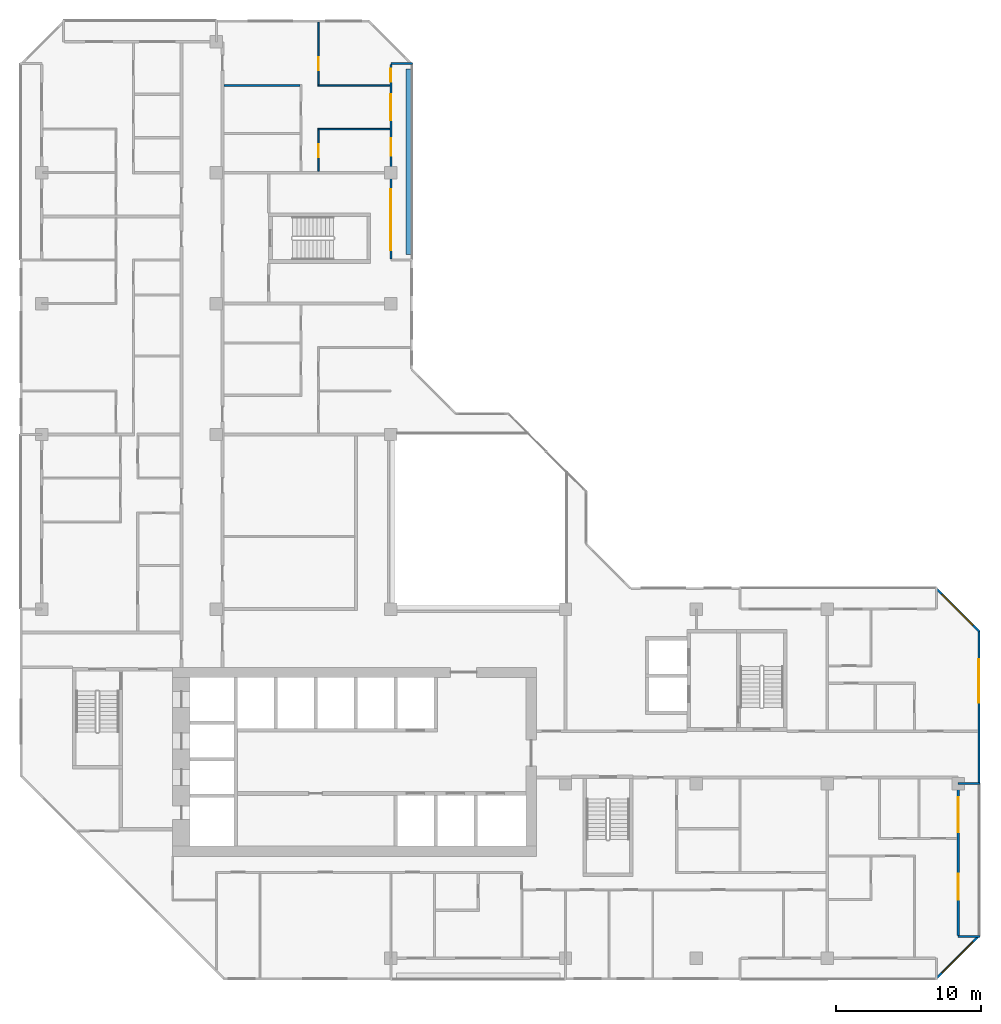
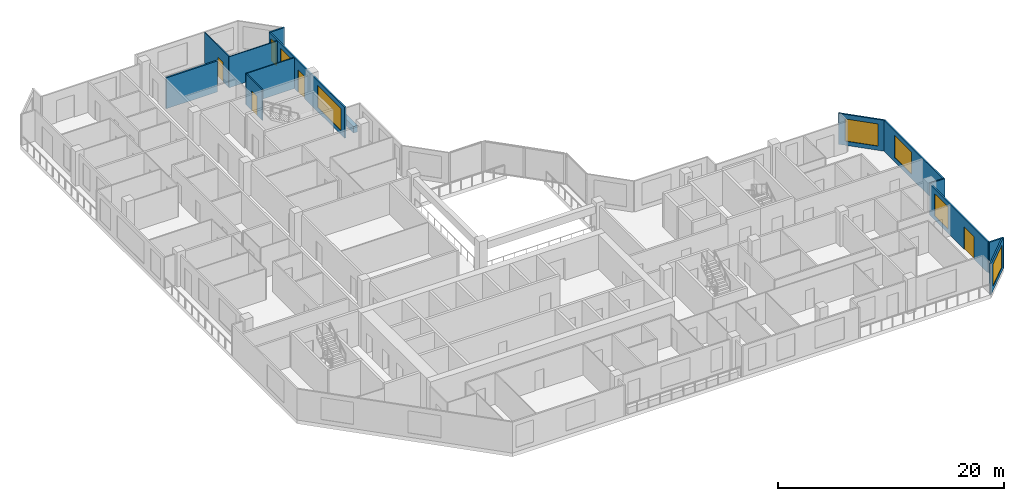
# One storey, part 11 of 14: 14 walls, 7 windows, 4 doors, 11 openings.
"""IFC4 building model written with IfcOpenShell, lengths in metres."""

from ifc_helpers import new_model, si_unit, direction, frame, frame_2d, origin, place, context, subcontext, project, spatial, rectangle, extrude, material, layer, layer_set, type_object, element, fill, save


model = new_model("IFC4")

# Units and contexts
model_context = context("Model", 3, precision=1e-05, world=origin(), true_north=direction((0.0, 1.0)))
body_context = subcontext(model_context, "Body", "Model", "MODEL_VIEW")
ifc_project = project(units=[si_unit("LENGTHUNIT", "METRE"), si_unit("AREAUNIT", "SQUARE_METRE"), si_unit("VOLUMEUNIT", "CUBIC_METRE"), si_unit("PLANEANGLEUNIT", "RADIAN"), si_unit("MASSUNIT", "GRAM", prefix="KILO")], contexts=[model_context])

# Site, building, storey
site_placement = place(None, origin())
site = spatial("IfcSite", under=ifc_project, at=site_placement, CompositionType="ELEMENT")
building_placement = place(site_placement, origin())
building = spatial("IfcBuilding", under=site, at=building_placement, Name="Chenar Terraces", CompositionType="ELEMENT")
storey_placement = place(building_placement, frame((0.0, 0.0, 241.64990234375)))
storey = spatial("IfcBuildingStorey", under=building, at=storey_placement, Name="L57", CompositionType="ELEMENT", Elevation=241.64990234375)

# Wall, opening, window
ifc_material_1 = material(Name="Aluminium framed glazing", Category="aluminium")
ifc_layer_1 = layer(ifc_material_1, 0.14990234375)
ifc_layer_set_1 = layer_set([ifc_layer_1], Name="Aluminium framed glazing")
wall_type_1 = type_object("IfcWallType", Name="Glazed flush facade wall 150", PredefinedType="SOLIDWALL", material=ifc_layer_set_1)
wall_1_placement = place(storey_placement, frame((64.425048828125, 12.074951171875, 0.0), z_axis=(0.0, 0.0, 1.0), x_axis=(0.0, 1.0, 0.0)))
wall_1 = element("IfcWall", 1, at=wall_1_placement, inside=storey, type_object=wall_type_1, Name="Glazed flush facade wall", PredefinedType="SOLIDWALL", context=body_context, shape_type="SweptSolid", body=[
    extrude(rectangle(XDim=10.425048828125, YDim=0.14990234375, at=frame_2d((5.21240234375, 0.0))), origin(), (0.0, 0.0, 1.0), 3.35009765625),
])
opening_1_placement = place(wall_1_placement, frame((5.47509765625, 0.0, 0.449951171875)))
opening_1 = element("IfcOpeningElement", 2, at=opening_1_placement, cuts=wall_1, Name="Opening W300x240", PredefinedType="OPENING", context=body_context, shape_type="SweptSolid", body=[
    extrude(rectangle(XDim=3.0, YDim=2.39990234375, at=frame_2d((1.5, 1.199951171875))), frame((0.0, 0.0849609375, 0.0), z_axis=(0.0, -1.0, 0.0), x_axis=(1.0, 0.0, 0.0)), (0.0, 0.0, 1.0), 0.169921875),
])
ifc_material_2 = material(Name="Low emissivity double glazing, aluminium frame", Category="aluminium")
window_type_1 = type_object("IfcWindowType", Name="Fixed light 3000 x 2400", PartitioningType="SINGLE_PANEL", PredefinedType="WINDOW", material=ifc_material_2)
window_1_placement = place(opening_1_placement, origin())
window_1 = element("IfcWindow", 3, at=window_1_placement, inside=storey, type_object=window_type_1, Name="Window", OverallHeight=2.39990234375, OverallWidth=3.0, PartitioningType="SINGLE_PANEL", PredefinedType="WINDOW", context=body_context, shape_type="SweptSolid", body=[
    extrude(rectangle(XDim=3.0, YDim=2.39990234375, at=frame_2d((1.5, 1.199951171875))), frame((0.0, 0.030029296875, 0.0), z_axis=(0.0, -1.0, 0.0), x_axis=(1.0, 0.0, 0.0)), (0.0, 0.0, 1.0), 0.06005859375),
])
fill(opening_1, window_1)

# Wall, openings, windows, door
ifc_material_3 = material(Name="Aluminium framed glazing", Category="aluminium")
ifc_layer_2 = layer(ifc_material_3, 0.14990234375)
ifc_layer_set_2 = layer_set([ifc_layer_2], Name="Aluminium framed glazing")
wall_type_2 = type_object("IfcWallType", Name="Glazed loggia back wall 150", PredefinedType="SOLIDWALL", material=ifc_layer_set_2)
wall_2_placement = place(storey_placement, frame((24.0, 48.074951171875, 0.0), z_axis=(0.0, 0.0, 1.0), x_axis=(0.0, 1.0, 0.0)))
wall_2 = element("IfcWall", 4, at=wall_2_placement, inside=storey, type_object=wall_type_2, Name="Glazed loggia back wall", PredefinedType="SOLIDWALL", context=body_context, shape_type="SweptSolid", body=[
    extrude(rectangle(XDim=13.35009765625, YDim=0.14990234375, at=frame_2d((6.675048828125, 0.0))), origin(), (0.0, 0.0, 1.0), 3.35009765625),
])
opening_2_placement = place(wall_2_placement, frame((0.60009765625, 0.0, 0.449951171875)))
opening_2 = element("IfcOpeningElement", 5, at=opening_2_placement, cuts=wall_2, Name="Opening W420x240", PredefinedType="OPENING", context=body_context, shape_type="SweptSolid", body=[
    extrude(rectangle(XDim=4.199951171875, YDim=2.39990234375, at=frame_2d((2.10009765625, 1.199951171875))), frame((0.0, 0.0849609375, 0.0), z_axis=(0.0, -1.0, 0.0), x_axis=(1.0, 0.0, 0.0)), (0.0, 0.0, 1.0), 0.169921875),
])
opening_3_placement = place(wall_2_placement, frame((7.08740234375, 0.0, 0.0)))
opening_3 = element("IfcOpeningElement", 6, at=opening_3_placement, cuts=wall_2, Name="Opening DL57-G2", PredefinedType="OPENING", context=body_context, shape_type="SweptSolid", body=[
    extrude(rectangle(XDim=1.199951171875, YDim=2.39990234375, at=frame_2d((0.60009765625, 1.199951171875))), frame((0.0, 0.0849609375, 0.0), z_axis=(0.0, -1.0, 0.0), x_axis=(1.0, 0.0, 0.0)), (0.0, 0.0, 1.0), 0.169921875),
])
opening_4_placement = place(wall_2_placement, frame((9.52490234375, 0.0, 0.449951171875)))
opening_4 = element("IfcOpeningElement", 7, at=opening_4_placement, cuts=wall_2, Name="Opening W180x240", PredefinedType="OPENING", context=body_context, shape_type="SweptSolid", body=[
    extrude(rectangle(XDim=1.800048828125, YDim=2.39990234375, at=frame_2d((0.89990234375, 1.199951171875))), frame((0.0, 0.0849609375, 0.0), z_axis=(0.0, -1.0, 0.0), x_axis=(1.0, 0.0, 0.0)), (0.0, 0.0, 1.0), 0.169921875),
])
opening_5_placement = place(wall_2_placement, frame((12.1875, 0.0, 0.449951171875)))
opening_5 = element("IfcOpeningElement", 8, at=opening_5_placement, cuts=wall_2, Name="Opening W90x240", PredefinedType="OPENING", context=body_context, shape_type="SweptSolid", body=[
    extrude(rectangle(XDim=0.89990234375, YDim=2.39990234375, at=frame_2d((0.449951171875, 1.199951171875))), frame((0.0, 0.0849609375, 0.0), z_axis=(0.0, -1.0, 0.0), x_axis=(1.0, 0.0, 0.0)), (0.0, 0.0, 1.0), 0.169921875),
])
ifc_material_4 = material(Name="Low emissivity double glazing, aluminium frame", Category="aluminium")
window_type_2 = type_object("IfcWindowType", Name="Fixed light 1800 x 2400", PartitioningType="SINGLE_PANEL", PredefinedType="WINDOW", material=ifc_material_4)
window_2_placement = place(opening_4_placement, origin())
window_2 = element("IfcWindow", 9, at=window_2_placement, inside=storey, type_object=window_type_2, Name="Window", OverallHeight=2.39990234375, OverallWidth=1.800048828125, PartitioningType="SINGLE_PANEL", PredefinedType="WINDOW", context=body_context, shape_type="SweptSolid", body=[
    extrude(rectangle(XDim=1.800048828125, YDim=2.39990234375, at=frame_2d((0.89990234375, 1.199951171875))), frame((0.0, 0.030029296875, 0.0), z_axis=(0.0, -1.0, 0.0), x_axis=(1.0, 0.0, 0.0)), (0.0, 0.0, 1.0), 0.06005859375),
])
fill(opening_4, window_2)
ifc_material_5 = material(Name="Low emissivity double glazing, aluminium frame", Category="aluminium")
window_type_3 = type_object("IfcWindowType", Name="Fixed light 4200 x 2400", PartitioningType="SINGLE_PANEL", PredefinedType="WINDOW", material=ifc_material_5)
window_3_placement = place(opening_2_placement, origin())
window_3 = element("IfcWindow", 10, at=window_3_placement, inside=storey, type_object=window_type_3, Name="Window", OverallHeight=2.39990234375, OverallWidth=4.199951171875, PartitioningType="SINGLE_PANEL", PredefinedType="WINDOW", context=body_context, shape_type="SweptSolid", body=[
    extrude(rectangle(XDim=4.199951171875, YDim=2.39990234375, at=frame_2d((2.10009765625, 1.199951171875))), frame((0.0, 0.030029296875, 0.0), z_axis=(0.0, -1.0, 0.0), x_axis=(1.0, 0.0, 0.0)), (0.0, 0.0, 1.0), 0.06005859375),
])
fill(opening_2, window_3)
ifc_material_6 = material(Name="Low emissivity double glazing, aluminium frame", Category="aluminium")
window_type_4 = type_object("IfcWindowType", Name="Fixed light 900 x 2400", PartitioningType="SINGLE_PANEL", PredefinedType="WINDOW", material=ifc_material_6)
window_4_placement = place(opening_5_placement, origin())
window_4 = element("IfcWindow", 11, at=window_4_placement, inside=storey, type_object=window_type_4, Name="Window", OverallHeight=2.39990234375, OverallWidth=0.89990234375, PartitioningType="SINGLE_PANEL", PredefinedType="WINDOW", context=body_context, shape_type="SweptSolid", body=[
    extrude(rectangle(XDim=0.89990234375, YDim=2.39990234375, at=frame_2d((0.449951171875, 1.199951171875))), frame((0.0, 0.030029296875, 0.0), z_axis=(0.0, -1.0, 0.0), x_axis=(1.0, 0.0, 0.0)), (0.0, 0.0, 1.0), 0.06005859375),
])
fill(opening_5, window_4)
ifc_material_7 = material(Name="Low emissivity double glazing, aluminium frame", Category="aluminium")
door_type_1 = type_object("IfcDoorType", Name="Loggia glazed double door 1200 x 2400", OperationType="DOUBLE_DOOR_SINGLE_SWING", PredefinedType="DOOR", material=ifc_material_7)
door_1_placement = place(opening_3_placement, frame((1.199951171875, 0.0, 0.0), z_axis=(0.0, 0.0, 1.0), x_axis=(-1.0, 0.0, 0.0)))
door_1 = element("IfcDoor", 12, at=door_1_placement, inside=storey, type_object=door_type_1, Name="Loggia glazed door", OperationType="DOUBLE_DOOR_SINGLE_SWING", OverallHeight=2.39990234375, OverallWidth=1.199951171875, PredefinedType="DOOR", context=body_context, shape_type="SweptSolid", body=[
    extrude(rectangle(XDim=1.199951171875, YDim=2.39990234375, at=frame_2d((0.60009765625, 1.199951171875))), frame((0.0, 0.02490234375, 0.0), z_axis=(0.0, -1.0, 0.0), x_axis=(1.0, 0.0, 0.0)), (0.0, 0.0, 1.0), 0.050048828125),
])
fill(opening_3, door_1)

# Wall, openings, window, door
wall_3_placement = place(storey_placement, frame((63.0, 1.574951171875, 0.0), z_axis=(0.0, 0.0, 1.0), x_axis=(0.0, 1.0, 0.0)))
wall_3 = element("IfcWall", 13, at=wall_3_placement, inside=storey, type_object=wall_type_2, Name="Glazed loggia back wall", PredefinedType="SOLIDWALL", context=body_context, shape_type="SweptSolid", body=[
    extrude(rectangle(XDim=10.35009765625, YDim=0.14990234375, at=frame_2d((5.175048828125, 0.0))), origin(), (0.0, 0.0, 1.0), 3.35009765625),
])
opening_6_placement = place(wall_3_placement, frame((2.425048828125, 0.0, 0.0)))
opening_6 = element("IfcOpeningElement", 14, at=opening_6_placement, cuts=wall_3, Name="Opening DL57-G8", PredefinedType="OPENING", context=body_context, shape_type="SweptSolid", body=[
    extrude(rectangle(XDim=1.800048828125, YDim=2.39990234375, at=frame_2d((0.89990234375, 1.199951171875))), frame((0.0, 0.0849609375, 0.0), z_axis=(0.0, -1.0, 0.0), x_axis=(1.0, 0.0, 0.0)), (0.0, 0.0, 1.0), 0.169921875),
])
opening_7_placement = place(wall_3_placement, frame((7.074951171875, 0.0, 0.449951171875)))
opening_7 = element("IfcOpeningElement", 15, at=opening_7_placement, cuts=wall_3, Name="Opening W240x240", PredefinedType="OPENING", context=body_context, shape_type="SweptSolid", body=[
    extrude(rectangle(XDim=2.39990234375, YDim=2.39990234375, at=frame_2d((1.199951171875, 1.199951171875))), frame((0.0, 0.0849609375, 0.0), z_axis=(0.0, -1.0, 0.0), x_axis=(1.0, 0.0, 0.0)), (0.0, 0.0, 1.0), 0.169921875),
])
ifc_material_8 = material(Name="Low emissivity double glazing, aluminium frame", Category="aluminium")
window_type_5 = type_object("IfcWindowType", Name="Fixed light 2400 x 2400", PartitioningType="SINGLE_PANEL", PredefinedType="WINDOW", material=ifc_material_8)
window_5_placement = place(opening_7_placement, origin())
window_5 = element("IfcWindow", 16, at=window_5_placement, inside=storey, type_object=window_type_5, Name="Window", OverallHeight=2.39990234375, OverallWidth=2.39990234375, PartitioningType="SINGLE_PANEL", PredefinedType="WINDOW", context=body_context, shape_type="SweptSolid", body=[
    extrude(rectangle(XDim=2.39990234375, YDim=2.39990234375, at=frame_2d((1.199951171875, 1.199951171875))), frame((0.0, 0.030029296875, 0.0), z_axis=(0.0, -1.0, 0.0), x_axis=(1.0, 0.0, 0.0)), (0.0, 0.0, 1.0), 0.06005859375),
])
fill(opening_7, window_5)
ifc_material_9 = material(Name="Low emissivity double glazing, aluminium frame", Category="aluminium")
door_type_2 = type_object("IfcDoorType", Name="Loggia glazed double door 1800 x 2400", OperationType="DOUBLE_DOOR_SINGLE_SWING", PredefinedType="DOOR", material=ifc_material_9)
door_2_placement = place(opening_6_placement, frame((1.800048828125, 0.0, 0.0), z_axis=(0.0, 0.0, 1.0), x_axis=(-1.0, 0.0, 0.0)))
door_2 = element("IfcDoor", 17, at=door_2_placement, inside=storey, type_object=door_type_2, Name="Loggia glazed door", OperationType="DOUBLE_DOOR_SINGLE_SWING", OverallHeight=2.39990234375, OverallWidth=1.800048828125, PredefinedType="DOOR", context=body_context, shape_type="SweptSolid", body=[
    extrude(rectangle(XDim=1.800048828125, YDim=2.39990234375, at=frame_2d((0.89990234375, 1.199951171875))), frame((0.0, 0.02490234375, 0.0), z_axis=(0.0, -1.0, 0.0), x_axis=(1.0, 0.0, 0.0)), (0.0, 0.0, 1.0), 0.050048828125),
])
fill(opening_6, door_2)

# Walls
ifc_material_10 = material(Name="Gypsum board on steel studs", Category="steel")
ifc_layer_3 = layer(ifc_material_10, 0.10009765625)
ifc_layer_set_3 = layer_set([ifc_layer_3], Name="Gypsum board on steel studs")
wall_type_3 = type_object("IfcWallType", Name="Gypsum partition 100", PredefinedType="PARTITIONING", material=ifc_layer_set_3)
for number, where, z_axis, x_axis, name in (
    (18, (18.97509765625, 57.0, 0.0), (0.0, 0.0, 1.0), (1.0, 0.0, 0.0), "Partition L57-051"),
    (19, (18.97509765625, 60.0, 0.0), (0.0, 0.0, 1.0), (1.0, 0.0, 0.0), "Partition L57-052"),
):
    element("IfcWall", number, at=place(storey_placement, frame(where, z_axis=z_axis, x_axis=x_axis)), inside=storey, type_object=wall_type_3, Name=name, PredefinedType="PARTITIONING", context=body_context, shape_type="SweptSolid", body=[
        extrude(rectangle(XDim=4.950927734375, YDim=0.10009765625, at=frame_2d((2.4755859375, 0.0))), origin(), (0.0, 0.0, 1.0), 3.35009765625),
    ])

# Wall, opening, door
wall_4_placement = place(storey_placement, frame((19.02490234375, 54.10009765625, 0.0), z_axis=(0.0, 0.0, 1.0), x_axis=(0.0, 1.0, 0.0)))
wall_4 = element("IfcWall", 20, at=wall_4_placement, inside=storey, type_object=wall_type_3, Name="Partition L57-054", PredefinedType="PARTITIONING", context=body_context, shape_type="SweptSolid", body=[
    extrude(rectangle(XDim=2.849853515625, YDim=0.10009765625, at=frame_2d((1.4248046875, 0.0))), origin(), (0.0, 0.0, 1.0), 3.35009765625),
])
opening_8_placement = place(wall_4_placement, frame((0.949951171875, 0.0, 0.0)))
opening_8 = element("IfcOpeningElement", 21, at=opening_8_placement, cuts=wall_4, Name="Opening DL57-19", PredefinedType="OPENING", context=body_context, shape_type="SweptSolid", body=[
    extrude(rectangle(XDim=0.89990234375, YDim=2.10009765625, at=frame_2d((0.449951171875, 1.050048828125))), frame((0.0, 0.06005859375, 0.0), z_axis=(0.0, -1.0, 0.0), x_axis=(1.0, 0.0, 0.0)), (0.0, 0.0, 1.0), 0.1201171875),
])
ifc_material_11 = material(Name="Veneered timber door leaf", Category="wood")
door_type_3 = type_object("IfcDoorType", Name="Door 900 x 2100", OperationType="SINGLE_SWING_LEFT", PredefinedType="DOOR", material=ifc_material_11)
door_3_placement = place(opening_8_placement, frame((0.89990234375, 0.0, 0.0), z_axis=(0.0, 0.0, 1.0), x_axis=(-1.0, 0.0, 0.0)))
door_3 = element("IfcDoor", 22, at=door_3_placement, inside=storey, type_object=door_type_3, Name="Door DL57-19", OperationType="SINGLE_SWING_LEFT", OverallHeight=2.10009765625, OverallWidth=0.89990234375, PredefinedType="DOOR", context=body_context, shape_type="SweptSolid", body=[
    extrude(rectangle(XDim=0.89990234375, YDim=2.10009765625, at=frame_2d((0.449951171875, 1.050048828125))), frame((0.0, 0.02490234375, 0.0), z_axis=(0.0, -1.0, 0.0), x_axis=(1.0, 0.0, 0.0)), (0.0, 0.0, 1.0), 0.050048828125),
])
fill(opening_8, door_3)

wall_5_placement = place(storey_placement, frame((19.02490234375, 60.050048828125, 0.0), z_axis=(0.0, 0.0, 1.0), x_axis=(0.0, 1.0, 0.0)))
wall_5 = element("IfcWall", 23, at=wall_5_placement, inside=storey, type_object=wall_type_3, Name="Partition L57-055", PredefinedType="PARTITIONING", context=body_context, shape_type="SweptSolid", body=[
    extrude(rectangle(XDim=4.301025390625, YDim=0.10009765625, at=frame_2d((2.150390625, 0.0))), origin(), (0.0, 0.0, 1.0), 3.35009765625),
])
opening_9_placement = place(wall_5_placement, frame((1.0, 0.0, 0.0)))
opening_9 = element("IfcOpeningElement", 24, at=opening_9_placement, cuts=wall_5, Name="Opening DL57-20", PredefinedType="OPENING", context=body_context, shape_type="SweptSolid", body=[
    extrude(rectangle(XDim=0.89990234375, YDim=2.10009765625, at=frame_2d((0.449951171875, 1.050048828125))), frame((0.0, 0.06005859375, 0.0), z_axis=(0.0, -1.0, 0.0), x_axis=(1.0, 0.0, 0.0)), (0.0, 0.0, 1.0), 0.1201171875),
])
door_4_placement = place(opening_9_placement, frame((0.89990234375, 0.0, 0.0), z_axis=(0.0, 0.0, 1.0), x_axis=(-1.0, 0.0, 0.0)))
door_4 = element("IfcDoor", 25, at=door_4_placement, inside=storey, type_object=door_type_3, Name="Door DL57-20", OperationType="SINGLE_SWING_RIGHT", OverallHeight=2.10009765625, OverallWidth=0.89990234375, PredefinedType="DOOR", context=body_context, shape_type="SweptSolid", body=[
    extrude(rectangle(XDim=0.89990234375, YDim=2.10009765625, at=frame_2d((0.449951171875, 1.050048828125))), frame((0.0, 0.02490234375, 0.0), z_axis=(0.0, -1.0, 0.0), x_axis=(1.0, 0.0, 0.0)), (0.0, 0.0, 1.0), 0.050048828125),
])
fill(opening_9, door_4)

# Walls
ifc_material_12 = material(Name="Terracotta cladding on insulated backing", Category="masonry")
ifc_layer_4 = layer(ifc_material_12, 0.14990234375)
ifc_layer_set_4 = layer_set([ifc_layer_4], Name="Terracotta cladding on insulated backing")
wall_type_4 = type_object("IfcWallType", Name="Loggia return wall 150", PredefinedType="SOLIDWALL", material=ifc_layer_set_4)
for number, where, z_axis, x_axis, name in (
    (26, (25.5, 61.5, 0.0), (0.0, 0.0, 1.0), (-1.0, 0.0, 0.0), "Loggia return wall"),
    (27, (64.5, 1.5, 0.0), (0.0, 0.0, 1.0), (-1.0, 0.0, 0.0), "Loggia return wall"),
    (28, (64.5, 12.0, 0.0), (0.0, 0.0, 1.0), (-1.0, 0.0, 0.0), "Loggia return wall"),
):
    element("IfcWall", number, at=place(storey_placement, frame(where, z_axis=z_axis, x_axis=x_axis)), inside=storey, type_object=wall_type_4, Name=name, PredefinedType="SOLIDWALL", context=body_context, shape_type="SweptSolid", body=[
        extrude(rectangle(XDim=1.5, YDim=0.14990234375, at=frame_2d((0.75, 0.0))), origin(), (0.0, 0.0, 1.0), 3.35009765625),
    ])

# Wall, opening, window
ifc_material_13 = material(Name="Terracotta cladding on insulated backing", Category="masonry")
ifc_layer_5 = layer(ifc_material_13, 0.14990234375)
ifc_layer_set_5 = layer_set([ifc_layer_5], Name="Terracotta cladding on insulated backing")
wall_type_5 = type_object("IfcWallType", Name="Terracotta rainscreen wall 150", PredefinedType="SOLIDWALL", material=ifc_layer_set_5)
wall_6_placement = place(storey_placement, frame((61.447021484375, -1.447021484375, 0.0), z_axis=(0.0, 0.0, 1.0), x_axis=(0.707106781187, 0.707106781187, 0.0)))
wall_6 = element("IfcWall", 29, at=wall_6_placement, inside=storey, type_object=wall_type_5, Name="Terracotta rainscreen wall", PredefinedType="SOLIDWALL", context=body_context, shape_type="SweptSolid", body=[
    extrude(rectangle(XDim=4.24267578125, YDim=0.14990234375, at=frame_2d((2.121337890625, 0.0))), origin(), (0.0, 0.0, 1.0), 3.35009765625),
])
opening_10_placement = place(wall_6_placement, frame((0.621337890625, 0.0, 0.449951171875)))
opening_10 = element("IfcOpeningElement", 30, at=opening_10_placement, cuts=wall_6, Name="Opening W300x240", PredefinedType="OPENING", context=body_context, shape_type="SweptSolid", body=[
    extrude(rectangle(XDim=3.0, YDim=2.39990234375, at=frame_2d((1.5, 1.199951171875))), frame((0.0, 0.0849609375, 0.0), z_axis=(0.0, -1.0, 0.0), x_axis=(1.0, 0.0, 0.0)), (0.0, 0.0, 1.0), 0.169921875),
])
window_6_placement = place(opening_10_placement, origin())
window_6 = element("IfcWindow", 31, at=window_6_placement, inside=storey, type_object=window_type_1, Name="Window", OverallHeight=2.39990234375, OverallWidth=3.0, PartitioningType="SINGLE_PANEL", PredefinedType="WINDOW", context=body_context, shape_type="SweptSolid", body=[
    extrude(rectangle(XDim=3.0, YDim=2.39990234375, at=frame_2d((1.5, 1.199951171875))), frame((0.0, 0.030029296875, 0.0), z_axis=(0.0, -1.0, 0.0), x_axis=(1.0, 0.0, 0.0)), (0.0, 0.0, 1.0), 0.06005859375),
])
fill(opening_10, window_6)

wall_7_placement = place(storey_placement, frame((64.447021484375, 22.447021484375, 0.0), z_axis=(0.0, 0.0, 1.0), x_axis=(-0.707106781187, 0.707106781187, 0.0)))
wall_7 = element("IfcWall", 32, at=wall_7_placement, inside=storey, type_object=wall_type_5, Name="Terracotta rainscreen wall", PredefinedType="SOLIDWALL", context=body_context, shape_type="SweptSolid", body=[
    extrude(rectangle(XDim=4.24267578125, YDim=0.14990234375, at=frame_2d((2.121337890625, 0.0))), origin(), (0.0, 0.0, 1.0), 3.35009765625),
])
opening_11_placement = place(wall_7_placement, frame((0.621337890625, 0.0, 0.449951171875)))
opening_11 = element("IfcOpeningElement", 33, at=opening_11_placement, cuts=wall_7, Name="Opening W300x240", PredefinedType="OPENING", context=body_context, shape_type="SweptSolid", body=[
    extrude(rectangle(XDim=3.0, YDim=2.39990234375, at=frame_2d((1.5, 1.199951171875))), frame((0.0, 0.0849609375, 0.0), z_axis=(0.0, -1.0, 0.0), x_axis=(1.0, 0.0, 0.0)), (0.0, 0.0, 1.0), 0.169921875),
])
window_7_placement = place(opening_11_placement, origin())
window_7 = element("IfcWindow", 34, at=window_7_placement, inside=storey, type_object=window_type_1, Name="Window", OverallHeight=2.39990234375, OverallWidth=3.0, PartitioningType="SINGLE_PANEL", PredefinedType="WINDOW", context=body_context, shape_type="SweptSolid", body=[
    extrude(rectangle(XDim=3.0, YDim=2.39990234375, at=frame_2d((1.5, 1.199951171875))), frame((0.0, 0.030029296875, 0.0), z_axis=(0.0, -1.0, 0.0), x_axis=(1.0, 0.0, 0.0)), (0.0, 0.0, 1.0), 0.06005859375),
])
fill(opening_11, window_7)

# Walls
ifc_material_14 = material(Name="GRP planter trough")
ifc_layer_6 = layer(ifc_material_14, 0.39990234375)
ifc_layer_set_6 = layer_set([ifc_layer_6], Name="GRP planter trough")
wall_type_6 = type_object("IfcWallType", Name="Vertical greenery planter 400", PredefinedType="SOLIDWALL", material=ifc_layer_set_6)
wall_8_placement = place(storey_placement, frame((25.22900390625, 48.375, 0.0), z_axis=(0.0, 0.0, 1.0), x_axis=(0.0, 1.0, 0.0)))
element("IfcWall", 35, at=wall_8_placement, inside=storey, type_object=wall_type_6, Name="Vertical greenery planter", PredefinedType="SOLIDWALL", context=body_context, shape_type="SweptSolid", body=[
    extrude(rectangle(XDim=12.75, YDim=0.39990234375, at=frame_2d((6.375, 0.0))), origin(), (0.0, 0.0, 1.0), 0.7001953125),
])
ifc_material_15 = material(Name="Moisture-resistant gypsum board on steel studs", Category="steel")
ifc_layer_7 = layer(ifc_material_15, 0.14990234375)
ifc_layer_set_7 = layer_set([ifc_layer_7], Name="Moisture-resistant gypsum board on steel studs")
wall_type_7 = type_object("IfcWallType", Name="Wet-room partition 150", PredefinedType="PARTITIONING", material=ifc_layer_set_7)
wall_9_placement = place(storey_placement, frame((12.52490234375, 60.0, 0.0), z_axis=(0.0, 0.0, 1.0), x_axis=(1.0, 0.0, 0.0)))
element("IfcWall", 36, at=wall_9_placement, inside=storey, type_object=wall_type_7, Name="Partition L57-045", PredefinedType="PARTITIONING", context=body_context, shape_type="SweptSolid", body=[
    extrude(rectangle(XDim=5.22509765625, YDim=0.14990234375, at=frame_2d((2.612548828125, 0.0))), origin(), (0.0, 0.0, 1.0), 3.35009765625),
])

save(model, "model.ifc")
